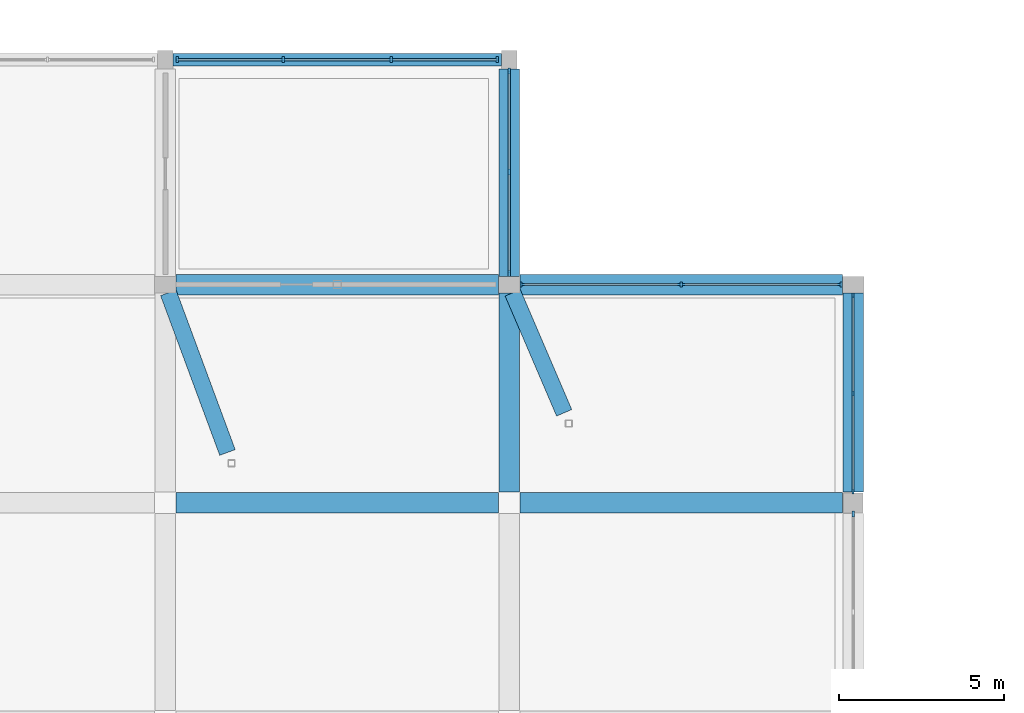
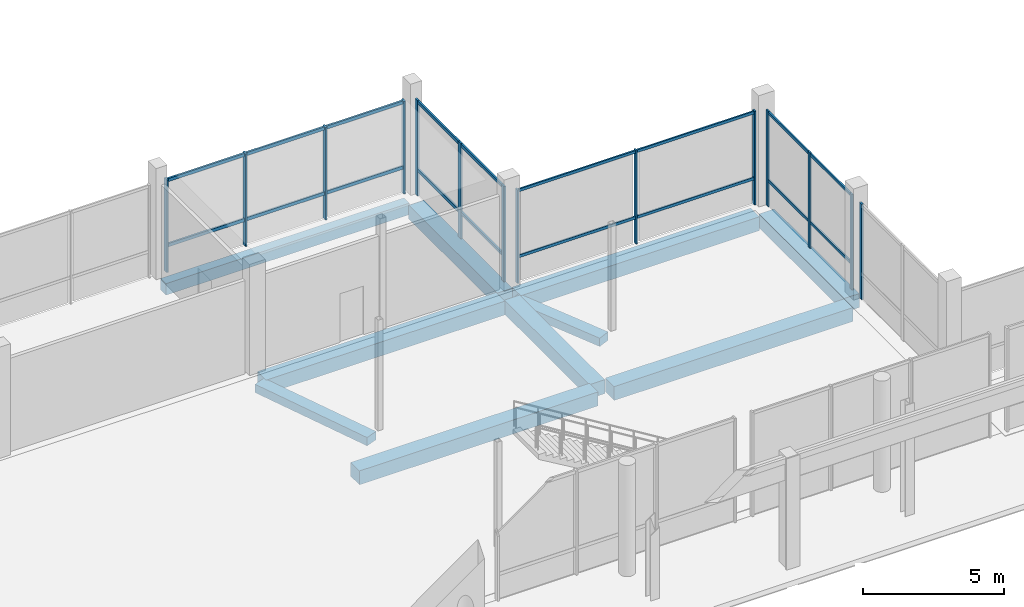
# One storey, part 31 of 88: 22 members, 10 beams, 5 elements without a shape of their own.
"""IFC4 building model written with IfcOpenShell, lengths in metres."""

from ifc_helpers import new_model, si_unit, derived_unit, direction, frame, origin, origin_2d, place, context, subcontext, project, spatial, rectangle, extrude, material, material_profile, profile_set, type_object, element, aggregate, save


model = new_model("IFC4")

# Units and contexts
model_context = context("Model", 3, precision=1e-05, world=origin(), true_north=direction((0.0, 1.0)))
body_context = subcontext(model_context, "Body", "Model", "MODEL_VIEW")
ifc_project = project(units=[si_unit("LENGTHUNIT", "METRE"), si_unit("AREAUNIT", "SQUARE_METRE"), si_unit("VOLUMEUNIT", "CUBIC_METRE"), si_unit("PLANEANGLEUNIT", "RADIAN"), si_unit("MASSUNIT", "GRAM", prefix="KILO"), derived_unit("THERMALTRANSMITTANCEUNIT", [(si_unit("POWERUNIT", "WATT"), 1), (si_unit("LENGTHUNIT", "METRE"), -2), (si_unit("THERMODYNAMICTEMPERATUREUNIT", "KELVIN"), -1)])], contexts=[model_context])

# Site, building, storey
site_placement = place(None, origin())
site = spatial("IfcSite", under=ifc_project, at=site_placement, CompositionType="ELEMENT")
building_placement = place(site_placement, origin())
building = spatial("IfcBuilding", under=site, at=building_placement, Name="Braskholm Square Health Centre", CompositionType="ELEMENT")
storey_placement = place(building_placement, origin())
storey = spatial("IfcBuildingStorey", under=building, at=storey_placement, Name="L01", CompositionType="ELEMENT", Elevation=0.0)

# Curtain wall, members
ifc_material_1 = material(Name="Low-E triple insulating glass (VLT 0.64)", Category="glass")
curtain_wall_type = type_object("IfcCurtainWallType", Name="UnitisedCurtainWall6200x4100", PredefinedType="NOTDEFINED", material=ifc_material_1)
curtain_wall_1_placement = place(storey_placement, origin())
curtain_wall_1 = element("IfcCurtainWall", 1, at=curtain_wall_1_placement, inside=storey, type_object=curtain_wall_type, Name="Hall North unitised curtain wall CW-L01-0214", PredefinedType="NOTDEFINED")
ifc_material_2 = material(Name="Architectural bronze anodised aluminium", Category="aluminium")
ifc_material_profile_1 = material_profile(ifc_material_2, rectangle(XDim=0.06494140625, YDim=0.14990234375, at=origin_2d()), Name="ALU-65X150")
ifc_profile_set_1 = profile_set([ifc_material_profile_1], Name="Architectural bronze anodised aluminium")
member_type_1 = type_object("IfcMemberType", Name="CurtainWallMullion65x150", PredefinedType="MULLION", material=ifc_profile_set_1)
member_1_placement = place(storey_placement, frame((120.041259765625, 107.0, 0.0), z_axis=(0.0, 0.0, 1.0), x_axis=(1.0, 0.0, 0.0)))
member_1 = element("IfcMember", 2, at=member_1_placement, type_object=member_type_1, Name="CW-L01-0214 vertical mullion 1", PredefinedType="MULLION", context=body_context, shape_type="SweptSolid", body=[
    extrude(rectangle(XDim=0.06494140625, YDim=0.14990234375, at=origin_2d()), origin(), (0.0, 0.0, 1.0), 4.037109375),
])
member_2_placement = place(storey_placement, frame((115.199951171875, 107.0, 0.0), z_axis=(0.0, 0.0, 1.0), x_axis=(1.0, 0.0, 0.0)))
member_2 = element("IfcMember", 3, at=member_2_placement, type_object=member_type_1, Name="CW-L01-0214 vertical mullion 2", PredefinedType="MULLION", context=body_context, shape_type="SweptSolid", body=[
    extrude(rectangle(XDim=0.06494140625, YDim=0.14990234375, at=origin_2d()), origin(), (0.0, 0.0, 1.0), 4.037109375),
])
member_3_placement = place(storey_placement, frame((110.35888671875, 107.0, 0.0), z_axis=(0.0, 0.0, 1.0), x_axis=(1.0, 0.0, 0.0)))
member_3 = element("IfcMember", 4, at=member_3_placement, type_object=member_type_1, Name="CW-L01-0214 vertical mullion 3", PredefinedType="MULLION", context=body_context, shape_type="SweptSolid", body=[
    extrude(rectangle(XDim=0.06494140625, YDim=0.14990234375, at=origin_2d()), origin(), (0.0, 0.0, 1.0), 4.037109375),
])

curtain_wall_2_placement = place(storey_placement, origin())
curtain_wall_2 = element("IfcCurtainWall", 5, at=curtain_wall_2_placement, inside=storey, type_object=curtain_wall_type, Name="Hall Cheek L01 unitised curtain wall CW-L01-0220", PredefinedType="NOTDEFINED")
member_4_placement = place(storey_placement, frame((120.39990234375, 100.736083984375, 0.0), z_axis=(0.0, 0.0, 1.0), x_axis=(1.0, 0.0, 0.0)))
member_4 = element("IfcMember", 6, at=member_4_placement, type_object=member_type_1, Name="CW-L01-0220 vertical mullion 1", PredefinedType="MULLION", context=body_context, shape_type="SweptSolid", body=[
    extrude(rectangle(XDim=0.06494140625, YDim=0.14990234375, at=origin_2d()), origin(), (0.0, 0.0, 1.0), 4.1201171875),
])
member_5_placement = place(storey_placement, frame((120.39990234375, 103.699951171875, 0.0), z_axis=(0.0, 0.0, 1.0), x_axis=(1.0, 0.0, 0.0)))
member_5 = element("IfcMember", 7, at=member_5_placement, type_object=member_type_1, Name="CW-L01-0220 vertical mullion 2", PredefinedType="MULLION", context=body_context, shape_type="SweptSolid", body=[
    extrude(rectangle(XDim=0.06494140625, YDim=0.14990234375, at=origin_2d()), origin(), (0.0, 0.0, 1.0), 4.1201171875),
])
member_6_placement = place(storey_placement, frame((120.39990234375, 106.6640625, 0.0), z_axis=(0.0, 0.0, 1.0), x_axis=(1.0, 0.0, 0.0)))
member_6 = element("IfcMember", 8, at=member_6_placement, type_object=member_type_1, Name="CW-L01-0220 vertical mullion 3", PredefinedType="MULLION", context=body_context, shape_type="SweptSolid", body=[
    extrude(rectangle(XDim=0.06494140625, YDim=0.14990234375, at=origin_2d()), origin(), (0.0, 0.0, 1.0), 4.1201171875),
])

# Curtain wall, member
curtain_wall_3_placement = place(storey_placement, origin())
curtain_wall_3 = element("IfcCurtainWall", 9, at=curtain_wall_3_placement, inside=storey, type_object=curtain_wall_type, Name="Hall Cheek L01 unitised curtain wall CW-L01-0219", PredefinedType="NOTDEFINED")
ifc_material_profile_2 = material_profile(ifc_material_2, rectangle(XDim=0.074951171875, YDim=0.179931640625, at=origin_2d()), Name="ALU-75X180")
ifc_profile_set_2 = profile_set([ifc_material_profile_2], Name="Architectural bronze anodised aluminium")
member_type_2 = type_object("IfcMemberType", Name="CurtainWallMullion75x180", PredefinedType="MULLION", material=ifc_profile_set_2)
member_7_placement = place(storey_placement, frame((120.39990234375, 100.06396484375, 0.0), z_axis=(0.0, 0.0, 1.0), x_axis=(1.0, 0.0, 0.0)))
member_7 = element("IfcMember", 10, at=member_7_placement, type_object=member_type_2, Name="CW-L01-0219 vertical mullion 3", PredefinedType="MULLION", context=body_context, shape_type="SweptSolid", body=[
    extrude(rectangle(XDim=0.074951171875, YDim=0.179931640625, at=origin_2d()), origin(), (0.0, 0.0, 1.0), 4.1201171875),
])
aggregate(curtain_wall_3, [member_7])

# Curtain wall, members
curtain_wall_4_placement = place(storey_placement, origin())
curtain_wall_4 = element("IfcCurtainWall", 11, at=curtain_wall_4_placement, inside=storey, type_object=curtain_wall_type, Name="Hydrotherapy North unitised curtain wall CW-L01-0239", PredefinedType="NOTDEFINED")
member_8_placement = place(storey_placement, frame((109.64111328125, 113.800048828125, 0.0), z_axis=(0.0, 0.0, 1.0), x_axis=(1.0, 0.0, 0.0)))
member_8 = element("IfcMember", 12, at=member_8_placement, type_object=member_type_2, Name="CW-L01-0239 vertical mullion 1", PredefinedType="MULLION", context=body_context, shape_type="SweptSolid", body=[
    extrude(rectangle(XDim=0.074951171875, YDim=0.179931640625, at=origin_2d()), origin(), (0.0, 0.0, 1.0), 4.0),
])
member_9_placement = place(storey_placement, frame((106.433349609375, 113.800048828125, 0.0), z_axis=(0.0, 0.0, 1.0), x_axis=(1.0, 0.0, 0.0)))
member_9 = element("IfcMember", 13, at=member_9_placement, type_object=member_type_2, Name="CW-L01-0239 vertical mullion 2", PredefinedType="MULLION", context=body_context, shape_type="SweptSolid", body=[
    extrude(rectangle(XDim=0.074951171875, YDim=0.179931640625, at=origin_2d()), origin(), (0.0, 0.0, 1.0), 4.0),
])
member_10_placement = place(storey_placement, frame((103.166748046875, 113.800048828125, 0.0), z_axis=(0.0, 0.0, 1.0), x_axis=(1.0, 0.0, 0.0)))
member_10 = element("IfcMember", 14, at=member_10_placement, type_object=member_type_2, Name="CW-L01-0239 vertical mullion 3", PredefinedType="MULLION", context=body_context, shape_type="SweptSolid", body=[
    extrude(rectangle(XDim=0.074951171875, YDim=0.179931640625, at=origin_2d()), origin(), (0.0, 0.0, 1.0), 4.0),
])
member_11_placement = place(storey_placement, frame((99.958740234375, 113.800048828125, 0.0), z_axis=(0.0, 0.0, 1.0), x_axis=(1.0, 0.0, 0.0)))
member_11 = element("IfcMember", 15, at=member_11_placement, type_object=member_type_2, Name="CW-L01-0239 vertical mullion 4", PredefinedType="MULLION", context=body_context, shape_type="SweptSolid", body=[
    extrude(rectangle(XDim=0.074951171875, YDim=0.179931640625, at=origin_2d()), origin(), (0.0, 0.0, 1.0), 4.0),
])

curtain_wall_5_placement = place(storey_placement, origin())
curtain_wall_5 = element("IfcCurtainWall", 16, at=curtain_wall_5_placement, inside=storey, type_object=curtain_wall_type, Name="Hydrotherapy East unitised curtain wall CW-L01-0241", PredefinedType="NOTDEFINED")
member_12_placement = place(storey_placement, frame((110.0, 107.337158203125, 0.0), z_axis=(0.0, 0.0, 1.0), x_axis=(1.0, 0.0, 0.0)))
member_12 = element("IfcMember", 17, at=member_12_placement, type_object=member_type_2, Name="CW-L01-0241 vertical mullion 1", PredefinedType="MULLION", context=body_context, shape_type="SweptSolid", body=[
    extrude(rectangle(XDim=0.074951171875, YDim=0.179931640625, at=origin_2d()), origin(), (0.0, 0.0, 1.0), 4.1201171875),
])
member_13_placement = place(storey_placement, frame((110.0, 110.39990234375, 0.0), z_axis=(0.0, 0.0, 1.0), x_axis=(1.0, 0.0, 0.0)))
member_13 = element("IfcMember", 18, at=member_13_placement, type_object=member_type_2, Name="CW-L01-0241 vertical mullion 2", PredefinedType="MULLION", context=body_context, shape_type="SweptSolid", body=[
    extrude(rectangle(XDim=0.074951171875, YDim=0.179931640625, at=origin_2d()), origin(), (0.0, 0.0, 1.0), 4.1201171875),
])
member_14_placement = place(storey_placement, frame((110.0, 113.462890625, 0.0), z_axis=(0.0, 0.0, 1.0), x_axis=(1.0, 0.0, 0.0)))
member_14 = element("IfcMember", 19, at=member_14_placement, type_object=member_type_2, Name="CW-L01-0241 vertical mullion 3", PredefinedType="MULLION", context=body_context, shape_type="SweptSolid", body=[
    extrude(rectangle(XDim=0.074951171875, YDim=0.179931640625, at=origin_2d()), origin(), (0.0, 0.0, 1.0), 4.1201171875),
])

# Member
ifc_material_profile_3 = material_profile(ifc_material_2, rectangle(XDim=0.06494140625, YDim=0.1201171875, at=origin_2d()), Name="ALU-65X120")
ifc_profile_set_3 = profile_set([ifc_material_profile_3], Name="Architectural bronze anodised aluminium")
member_type_3 = type_object("IfcMemberType", Name="CurtainWallTransom65x120", PredefinedType="USERDEFINED", material=ifc_profile_set_3)
member_15_placement = place(storey_placement, frame((120.054931640625, 107.0, 1.1201171875), z_axis=(-1.0, 0.0, 0.0), x_axis=(0.0, -1.0, 0.0)))
member_15 = element("IfcMember", 20, at=member_15_placement, type_object=member_type_3, Name="CW-L01-0214 horizontal transom 1", ObjectType="TRANSOM", PredefinedType="USERDEFINED", context=body_context, shape_type="SweptSolid", body=[
    extrude(rectangle(XDim=0.06494140625, YDim=0.1201171875, at=origin_2d()), origin(), (0.0, 0.0, 1.0), 9.7099609375),
])

member_16_placement = place(storey_placement, frame((120.054931640625, 107.0, 3.967041015625), z_axis=(-1.0, 0.0, 0.0), x_axis=(0.0, -1.0, 0.0)))
member_16 = element("IfcMember", 21, at=member_16_placement, type_object=member_type_3, Name="CW-L01-0214 horizontal transom 2", ObjectType="TRANSOM", PredefinedType="USERDEFINED", context=body_context, shape_type="SweptSolid", body=[
    extrude(rectangle(XDim=0.06494140625, YDim=0.1201171875, at=origin_2d()), origin(), (0.0, 0.0, 1.0), 9.7099609375),
])

aggregate(curtain_wall_1, [member_1, member_2, member_3, member_15, member_16])

member_17_placement = place(storey_placement, frame((120.39990234375, 100.7451171875, 1.1201171875), z_axis=(0.0, 1.0, 0.0), x_axis=(-1.0, 0.0, 0.0)))
member_17 = element("IfcMember", 22, at=member_17_placement, type_object=member_type_3, Name="CW-L01-0220 horizontal transom 1", ObjectType="TRANSOM", PredefinedType="USERDEFINED", context=body_context, shape_type="SweptSolid", body=[
    extrude(rectangle(XDim=0.06494140625, YDim=0.1201171875, at=origin_2d()), origin(), (0.0, 0.0, 1.0), 5.909912109375),
])

member_18_placement = place(storey_placement, frame((120.39990234375, 100.7451171875, 4.050048828125), z_axis=(0.0, 1.0, 0.0), x_axis=(-1.0, 0.0, 0.0)))
member_18 = element("IfcMember", 23, at=member_18_placement, type_object=member_type_3, Name="CW-L01-0220 horizontal transom 2", ObjectType="TRANSOM", PredefinedType="USERDEFINED", context=body_context, shape_type="SweptSolid", body=[
    extrude(rectangle(XDim=0.06494140625, YDim=0.1201171875, at=origin_2d()), origin(), (0.0, 0.0, 1.0), 5.909912109375),
])

aggregate(curtain_wall_2, [member_4, member_5, member_6, member_17, member_18])

ifc_material_profile_4 = material_profile(ifc_material_2, rectangle(XDim=0.074951171875, YDim=0.139892578125, at=origin_2d()), Name="ALU-75X140")
ifc_profile_set_4 = profile_set([ifc_material_profile_4], Name="Architectural bronze anodised aluminium")
member_type_4 = type_object("IfcMemberType", Name="CurtainWallTransom75x140", PredefinedType="USERDEFINED", material=ifc_profile_set_4)
member_19_placement = place(storey_placement, frame((109.655029296875, 113.800048828125, 1.1201171875), z_axis=(-1.0, 0.0, 0.0), x_axis=(0.0, -1.0, 0.0)))
member_19 = element("IfcMember", 24, at=member_19_placement, type_object=member_type_4, Name="CW-L01-0239 horizontal transom 1", ObjectType="TRANSOM", PredefinedType="USERDEFINED", context=body_context, shape_type="SweptSolid", body=[
    extrude(rectangle(XDim=0.074951171875, YDim=0.139892578125, at=origin_2d()), origin(), (0.0, 0.0, 1.0), 9.7099609375),
])

member_20_placement = place(storey_placement, frame((109.655029296875, 113.800048828125, 3.929931640625), z_axis=(-1.0, 0.0, 0.0), x_axis=(0.0, -1.0, 0.0)))
member_20 = element("IfcMember", 25, at=member_20_placement, type_object=member_type_4, Name="CW-L01-0239 horizontal transom 2", ObjectType="TRANSOM", PredefinedType="USERDEFINED", context=body_context, shape_type="SweptSolid", body=[
    extrude(rectangle(XDim=0.074951171875, YDim=0.139892578125, at=origin_2d()), origin(), (0.0, 0.0, 1.0), 9.7099609375),
])

aggregate(curtain_wall_4, [member_8, member_9, member_10, member_11, member_19, member_20])

member_21_placement = place(storey_placement, frame((110.0, 107.344970703125, 1.1201171875), z_axis=(0.0, 1.0, 0.0), x_axis=(-1.0, 0.0, 0.0)))
member_21 = element("IfcMember", 26, at=member_21_placement, type_object=member_type_4, Name="CW-L01-0241 horizontal transom 1", ObjectType="TRANSOM", PredefinedType="USERDEFINED", context=body_context, shape_type="SweptSolid", body=[
    extrude(rectangle(XDim=0.074951171875, YDim=0.139892578125, at=origin_2d()), origin(), (0.0, 0.0, 1.0), 6.110107421875),
])

member_22_placement = place(storey_placement, frame((110.0, 107.344970703125, 4.050048828125), z_axis=(0.0, 1.0, 0.0), x_axis=(-1.0, 0.0, 0.0)))
member_22 = element("IfcMember", 27, at=member_22_placement, type_object=member_type_4, Name="CW-L01-0241 horizontal transom 2", ObjectType="TRANSOM", PredefinedType="USERDEFINED", context=body_context, shape_type="SweptSolid", body=[
    extrude(rectangle(XDim=0.074951171875, YDim=0.139892578125, at=origin_2d()), origin(), (0.0, 0.0, 1.0), 6.110107421875),
])

aggregate(curtain_wall_5, [member_12, member_13, member_14, member_21, member_22])

# Beams
ifc_material_3 = material(Name="Concrete C35/45 (f'c = 35 MPa)", Category="concrete")
ifc_material_profile_5 = material_profile(ifc_material_3, rectangle(XDim=0.5, YDim=0.360107421875, at=origin_2d()), Name="RCB-500X360")
ifc_profile_set_5 = profile_set([ifc_material_profile_5], Name="Concrete C35/45 (f'c = 35 MPa)")
beam_type_1 = type_object("IfcBeamType", Name="PrimaryBandBeam500x360", PredefinedType="BEAM", material=ifc_profile_set_5)
beam_1_placement = place(storey_placement, frame((111.66162109375, 103.123291015625, -0.56005859375), z_axis=(-0.393949154313, 0.919132234129, 0.0), x_axis=(-0.919132234129, -0.393949154313, 0.0)))
element("IfcBeam", 28, at=beam_1_placement, inside=storey, type_object=beam_type_1, Name="Tie beam CS3H L01", PredefinedType="BEAM", context=body_context, shape_type="SweptSolid", body=[
    extrude(rectangle(XDim=0.5, YDim=0.360107421875, at=origin_2d()), origin(), (0.0, 0.0, 1.0), 3.94775390625),
])
beam_2_placement = place(storey_placement, frame((101.480224609375, 101.923095703125, -0.56005859375), z_axis=(-0.347291193154, 0.937757339165, 0.0), x_axis=(-0.937757339165, -0.347291193154, 0.0)))
element("IfcBeam", 29, at=beam_2_placement, inside=storey, type_object=beam_type_1, Name="Tie beam CS3K L01", PredefinedType="BEAM", context=body_context, shape_type="SweptSolid", body=[
    extrude(rectangle(XDim=0.5, YDim=0.360107421875, at=origin_2d()), origin(), (0.0, 0.0, 1.0), 5.1494140625),
])
ifc_material_4 = material(Name="Concrete C40/50 (f'c = 40 MPa)", Category="concrete")
ifc_material_profile_6 = material_profile(ifc_material_4, rectangle(XDim=0.6201171875, YDim=0.60009765625, at=origin_2d()), Name="RCB-620X600")
ifc_profile_set_6 = profile_set([ifc_material_profile_6], Name="Concrete C40/50 (f'c = 40 MPa)")
beam_type_2 = type_object("IfcBeamType", Name="PrimarySubstructureBeam620x600", PredefinedType="BEAM", material=ifc_profile_set_6)
beam_3_placement = place(storey_placement, frame((110.0, 100.72509765625, -0.679931640625), z_axis=(0.0, 1.0, 0.0), x_axis=(-1.0, 0.0, 0.0)))
element("IfcBeam", 30, at=beam_3_placement, inside=storey, type_object=beam_type_2, Name="Beam 14/Q-R L01", PredefinedType="BEAM", context=body_context, shape_type="SweptSolid", body=[
    extrude(rectangle(XDim=0.6201171875, YDim=0.60009765625, at=origin_2d()), origin(), (0.0, 0.0, 1.0), 6.02490234375),
])
beam_4_placement = place(storey_placement, frame((110.0, 107.25, -0.679931640625), z_axis=(0.0, 1.0, 0.0), x_axis=(-1.0, 0.0, 0.0)))
element("IfcBeam", 31, at=beam_4_placement, inside=storey, type_object=beam_type_2, Name="Beam 14/R-S L01", PredefinedType="BEAM", context=body_context, shape_type="SweptSolid", body=[
    extrude(rectangle(XDim=0.6201171875, YDim=0.60009765625, at=origin_2d()), origin(), (0.0, 0.0, 1.0), 6.27001953125),
])
beam_5_placement = place(storey_placement, frame((120.39990234375, 100.72509765625, -0.60009765625), z_axis=(0.0, 1.0, 0.0), x_axis=(-1.0, 0.0, 0.0)))
element("IfcBeam", 32, at=beam_5_placement, inside=storey, type_object=beam_type_2, Name="Beam 15/Q-R L01", PredefinedType="BEAM", context=body_context, shape_type="SweptSolid", body=[
    extrude(rectangle(XDim=0.6201171875, YDim=0.60009765625, at=origin_2d()), origin(), (0.0, 0.0, 1.0), 6.02490234375),
])
for number, where, z_axis, x_axis, name in (
    (33, (99.925048828125, 100.39990234375, -0.60009765625), (1.0, 0.0, 0.0), (0.0, 1.0, 0.0), "Beam 13-14/Q L01"),
    (34, (110.324951171875, 100.39990234375, -0.60009765625), (1.0, 0.0, 0.0), (0.0, 1.0, 0.0), "Beam 14-15/Q L01"),
    (35, (99.925048828125, 107.0, -0.679931640625), (1.0, 0.0, 0.0), (0.0, 1.0, 0.0), "Beam 13-14/R L01"),
    (36, (110.324951171875, 107.0, -0.679931640625), (1.0, 0.0, 0.0), (0.0, 1.0, 0.0), "Beam 14-15/R L01"),
):
    element("IfcBeam", number, at=place(storey_placement, frame(where, z_axis=z_axis, x_axis=x_axis)), inside=storey, type_object=beam_type_2, Name=name, PredefinedType="BEAM", context=body_context, shape_type="SweptSolid", body=[
        extrude(rectangle(XDim=0.6201171875, YDim=0.60009765625, at=origin_2d()), origin(), (0.0, 0.0, 1.0), 9.75),
    ])
ifc_material_5 = material(Name="Precast concrete C40/50 architectural white", Category="concrete")
ifc_material_profile_7 = material_profile(ifc_material_5, rectangle(XDim=0.3798828125, YDim=0.5, at=origin_2d()), Name="RCB-380X500")
ifc_profile_set_7 = profile_set([ifc_material_profile_7], Name="Precast concrete C40/50 architectural white")
beam_type_3 = type_object("IfcBeamType", Name="SpandrelPrecastEdge380x500", PredefinedType="SPANDREL", material=ifc_profile_set_7)
beam_6_placement = place(storey_placement, frame((99.830078125, 113.800048828125, -0.6298828125), z_axis=(1.0, 0.0, 0.0), x_axis=(0.0, 1.0, 0.0)))
element("IfcBeam", 37, at=beam_6_placement, inside=storey, type_object=beam_type_3, Name="Beam 13-14/S L01", PredefinedType="SPANDREL", context=body_context, shape_type="SweptSolid", body=[
    extrude(rectangle(XDim=0.3798828125, YDim=0.5, at=origin_2d()), origin(), (0.0, 0.0, 1.0), 9.93994140625),
])

save(model, "model.ifc")
